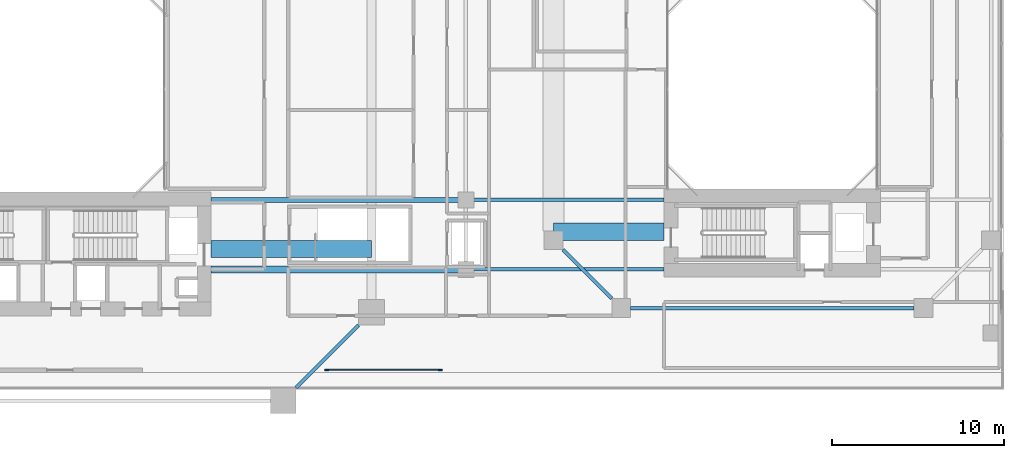
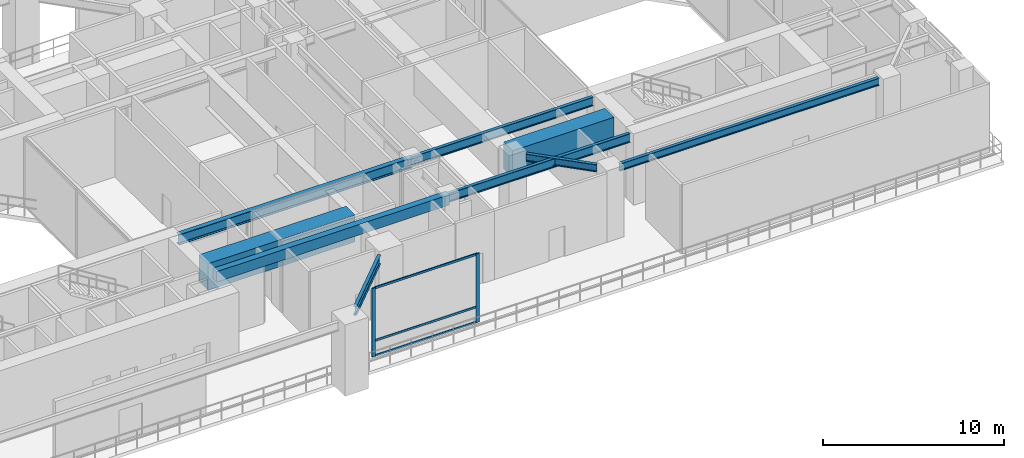
# One storey, part 5 of 19: 9 beams, 5 members, 1 element without a shape of its own.
"""IFC4 building model written with IfcOpenShell, lengths in metres."""

from ifc_helpers import new_model, si_unit, direction, frame, origin, origin_2d, place, context, subcontext, project, spatial, rectangle, i_section, extrude, source, transform, mapped, material, layer, layer_set, material_profile, profile_set, type_object, element, aggregate, save


model = new_model("IFC4")

# Units and contexts
model_context = context("Model", 3, precision=1e-05, world=origin(), true_north=direction((0.0, 1.0)))
body_context = subcontext(model_context, "Body", "Model", "MODEL_VIEW")
ifc_project = project(units=[si_unit("LENGTHUNIT", "METRE"), si_unit("AREAUNIT", "SQUARE_METRE"), si_unit("VOLUMEUNIT", "CUBIC_METRE"), si_unit("PLANEANGLEUNIT", "RADIAN"), si_unit("MASSUNIT", "GRAM", prefix="KILO"), si_unit("THERMODYNAMICTEMPERATUREUNIT", "KELVIN"), si_unit("POWERUNIT", "WATT")], contexts=[model_context])

# Site, building, storey
site_placement = place(None, origin())
site = spatial("IfcSite", under=ifc_project, at=site_placement, CompositionType="ELEMENT")
building_placement = place(site_placement, origin())
building = spatial("IfcBuilding", under=site, at=building_placement, Name="Qiaomeng Ring Towers", CompositionType="ELEMENT")
storey_placement = place(building_placement, frame((0.0, 0.0, 18.199951171875)))
storey = spatial("IfcBuildingStorey", under=building, at=storey_placement, Name="L04", CompositionType="ELEMENT", Elevation=18.199951171875)

# Beams
ifc_material_1 = material(Name="Steel Q355B", Category="steel")
ifc_material_profile_1 = material_profile(ifc_material_1, i_section(OverallWidth=0.199951171875, OverallDepth=0.60009765625, WebThickness=0.010986328125, FlangeThickness=0.01708984375, FilletRadius=0.02197265625, at=origin_2d()), Name="HN 600x200x11x17")
ifc_profile_set_1 = profile_set([ifc_material_profile_1], Name="Steel Q355B")
beam_type_1 = type_object("IfcBeamType", Name="STR-BM-HN600", PredefinedType="BEAM", material=ifc_profile_set_1)
shared_shape_1 = source(origin(), body_context, "Body", "SweptSolid", [
    extrude(i_section(OverallWidth=0.199951171875, OverallDepth=0.60009765625, WebThickness=0.010986328125, FlangeThickness=0.01708984375, FilletRadius=0.02197265625, at=origin_2d()), origin(), (0.0, 0.0, 1.0), 5.163818359375),
])
beam_1_placement = place(storey_placement, frame((32.749267578125, 5.599365234375, 4.320068359375), z_axis=(0.707106781187, 0.707106781187, 0.0), x_axis=(-0.707106781187, 0.707106781187, 0.0)))
element("IfcBeam", 1, at=beam_1_placement, inside=storey, type_object=beam_type_1, Name="L04 beam STR-SP-L04-T1-2", PredefinedType="BEAM", context=body_context, shape_type="MappedRepresentation", body=[
    mapped(shared_shape_1, transform((0.0, 0.0, 0.0), x_axis=(1.0, 0.0, 0.0), y_axis=(0.0, 1.0, 0.0), z_axis=(0.0, 0.0, 1.0), scale=1.0)),
])
ifc_material_profile_2 = material_profile(ifc_material_1, i_section(OverallWidth=0.199951171875, OverallDepth=0.5, WebThickness=0.010009765625, FlangeThickness=0.01611328125, FilletRadius=0.02001953125, at=origin_2d()), Name="HN 500x200x10x16")
ifc_profile_set_2 = profile_set([ifc_material_profile_2], Name="Steel Q355B")
beam_type_2 = type_object("IfcBeamType", Name="STR-BM-HN500", PredefinedType="BEAM", material=ifc_profile_set_2)
shared_shape_2 = source(origin(), body_context, "Body", "SweptSolid", [
    extrude(i_section(OverallWidth=0.199951171875, OverallDepth=0.5, WebThickness=0.010009765625, FlangeThickness=0.01611328125, FilletRadius=0.02001953125, at=origin_2d()), origin(), (0.0, 0.0, 1.0), 4.032470703125),
])
beam_2_placement = place(storey_placement, frame((48.29931640625, 13.650634765625, 4.3701171875), z_axis=(0.707106781187, -0.707106781187, 0.0), x_axis=(0.707106781187, 0.707106781187, 0.0)))
element("IfcBeam", 2, at=beam_2_placement, inside=storey, type_object=beam_type_2, Name="L04 beam STR-SP-L04-T2-0", PredefinedType="BEAM", context=body_context, shape_type="MappedRepresentation", body=[
    mapped(shared_shape_2, transform((0.0, 0.0, 0.0), x_axis=(1.0, 0.0, 0.0), y_axis=(0.0, 1.0, 0.0), z_axis=(0.0, 0.0, 1.0), scale=1.0)),
])
shared_shape_3 = source(origin(), body_context, "Body", "SweptSolid", [
    extrude(i_section(OverallWidth=0.199951171875, OverallDepth=0.5, WebThickness=0.010009765625, FlangeThickness=0.01611328125, FilletRadius=0.02001953125, at=origin_2d()), origin(), (0.0, 0.0, 1.0), 16.501953125),
])
beam_3_placement = place(storey_placement, frame((52.2490234375, 10.25, 4.3701171875), z_axis=(1.0, 0.0, 0.0), x_axis=(0.0, 1.0, 0.0)))
element("IfcBeam", 3, at=beam_3_placement, inside=storey, type_object=beam_type_2, Name="L04 beam STR-SP-L04-T2-1", PredefinedType="BEAM", context=body_context, shape_type="MappedRepresentation", body=[
    mapped(shared_shape_3, transform((0.0, 0.0, 0.0), x_axis=(1.0, 0.0, 0.0), y_axis=(0.0, 1.0, 0.0), z_axis=(0.0, 0.0, 1.0), scale=1.0)),
])
shared_shape_4 = source(origin(), body_context, "Body", "SweptSolid", [
    extrude(i_section(OverallWidth=0.199951171875, OverallDepth=0.60009765625, WebThickness=0.010986328125, FlangeThickness=0.01708984375, FilletRadius=0.02197265625, at=origin_2d()), origin(), (0.0, 0.0, 1.0), 11.550048828125),
])
for number, where, z_axis, x_axis, name in (
    (4, (42.64990234375, 12.5, 4.320068359375), (1.0, 0.0, 0.0), (0.0, 1.0, 0.0), "L04 beam STR-BM-L04-M2-0"),
    (5, (42.64990234375, 16.550048828125, 4.320068359375), (1.0, 0.0, 0.0), (0.0, 1.0, 0.0), "L04 beam STR-BM-L04-M2-1"),
):
    element("IfcBeam", number, at=place(storey_placement, frame(where, z_axis=z_axis, x_axis=x_axis)), inside=storey, type_object=beam_type_1, Name=name, PredefinedType="BEAM", context=body_context, shape_type="MappedRepresentation", body=[
        mapped(shared_shape_4, transform((0.0, 0.0, 0.0), x_axis=(1.0, 0.0, 0.0), y_axis=(0.0, 1.0, 0.0), z_axis=(0.0, 0.0, 1.0), scale=1.0)),
    ])
ifc_material_profile_3 = material_profile(ifc_material_1, i_section(OverallWidth=0.300048828125, OverallDepth=0.699951171875, WebThickness=0.012939453125, FlangeThickness=0.02392578125, FilletRadius=0.02392578125, at=origin_2d()), Name="HN 700x300x13x24")
ifc_profile_set_3 = profile_set([ifc_material_profile_3], Name="Steel Q355B")
beam_type_3 = type_object("IfcBeamType", Name="STR-BM-HN700", PredefinedType="BEAM", material=ifc_profile_set_3)
shared_shape_5 = source(origin(), body_context, "Body", "SweptSolid", [
    extrude(i_section(OverallWidth=0.300048828125, OverallDepth=0.699951171875, WebThickness=0.012939453125, FlangeThickness=0.02392578125, FilletRadius=0.02392578125, at=origin_2d()), origin(), (0.0, 0.0, 1.0), 14.849853515625),
])
beam_4_placement = place(storey_placement, frame((27.800048828125, 16.550048828125, 4.27001953125), z_axis=(1.0, 0.0, 0.0), x_axis=(0.0, 1.0, 0.0)))
element("IfcBeam", 6, at=beam_4_placement, inside=storey, type_object=beam_type_3, Name="L04 beam STR-BM-L04-M1-1", PredefinedType="BEAM", context=body_context, shape_type="MappedRepresentation", body=[
    mapped(shared_shape_5, transform((0.0, 0.0, 0.0), x_axis=(1.0, 0.0, 0.0), y_axis=(0.0, 1.0, 0.0), z_axis=(0.0, 0.0, 1.0), scale=1.0)),
])
ifc_material_2 = material(Name="Concrete C40", Category="concrete")
ifc_material_profile_4 = material_profile(ifc_material_2, rectangle(XDim=0.39990234375, YDim=0.699951171875, at=origin_2d()), Name="RC BM 400x700")
ifc_profile_set_4 = profile_set([ifc_material_profile_4], Name="Concrete C40")
beam_type_4 = type_object("IfcBeamType", Name="STR-BM-RC700", PredefinedType="LINTEL", material=ifc_profile_set_4)
shared_shape_6 = source(origin(), body_context, "Body", "SweptSolid", [
    extrude(rectangle(XDim=0.39990234375, YDim=0.699951171875, at=origin_2d()), origin(), (0.0, 0.0, 1.0), 14.849853515625),
])
beam_5_placement = place(storey_placement, frame((27.800048828125, 12.5, 4.27001953125), z_axis=(1.0, 0.0, 0.0), x_axis=(0.0, 1.0, 0.0)))
element("IfcBeam", 7, at=beam_5_placement, inside=storey, type_object=beam_type_4, Name="L04 beam STR-CB-L04-T1S", PredefinedType="LINTEL", context=body_context, shape_type="MappedRepresentation", body=[
    mapped(shared_shape_6, transform((0.0, 0.0, 0.0), x_axis=(1.0, 0.0, 0.0), y_axis=(0.0, 1.0, 0.0), z_axis=(0.0, 0.0, 1.0), scale=1.0)),
])
ifc_material_3 = material(Name="Concrete C60", Category="concrete")
ifc_material_profile_5 = material_profile(ifc_material_3, rectangle(XDim=1.0, YDim=1.800048828125, at=origin_2d()), Name="RC TG 1000x1800")
ifc_profile_set_5 = profile_set([ifc_material_profile_5], Name="Concrete C60")
beam_type_5 = type_object("IfcBeamType", Name="STR-TG-RC1800", PredefinedType="USERDEFINED", material=ifc_profile_set_5)
shared_shape_7 = source(origin(), body_context, "Body", "SweptSolid", [
    extrude(rectangle(XDim=1.0, YDim=1.800048828125, at=origin_2d()), origin(), (0.0, 0.0, 1.0), 9.349853515625),
])
beam_6_placement = place(storey_placement, frame((27.800048828125, 13.699951171875, 3.719970703125), z_axis=(1.0, 0.0, 0.0), x_axis=(0.0, 1.0, 0.0)))
element("IfcBeam", 8, at=beam_6_placement, inside=storey, type_object=beam_type_5, Name="L04 Transfer Girder STR-TG1B-L04-ES", ObjectType="TRANSFER GIRDER", PredefinedType="USERDEFINED", context=body_context, shape_type="MappedRepresentation", body=[
    mapped(shared_shape_7, transform((0.0, 0.0, 0.0), x_axis=(1.0, 0.0, 0.0), y_axis=(0.0, 1.0, 0.0), z_axis=(0.0, 0.0, 1.0), scale=1.0)),
])
shared_shape_8 = source(origin(), body_context, "Body", "SweptSolid", [
    extrude(rectangle(XDim=1.0, YDim=1.800048828125, at=origin_2d()), origin(), (0.0, 0.0, 1.0), 6.449951171875),
])
beam_7_placement = place(storey_placement, frame((47.75, 14.699951171875, 3.719970703125), z_axis=(1.0, 0.0, 0.0), x_axis=(0.0, 1.0, 0.0)))
element("IfcBeam", 9, at=beam_7_placement, inside=storey, type_object=beam_type_5, Name="L04 Transfer Girder STR-TG1B-L04-T2S", ObjectType="TRANSFER GIRDER", PredefinedType="USERDEFINED", context=body_context, shape_type="MappedRepresentation", body=[
    mapped(shared_shape_8, transform((0.0, 0.0, 0.0), x_axis=(1.0, 0.0, 0.0), y_axis=(0.0, 1.0, 0.0), z_axis=(0.0, 0.0, 1.0), scale=1.0)),
])

# Curtain wall, members
ifc_material_4 = material(Name="Fluorocarbon dark-grey aluminium", Category="aluminium")
ifc_layer = layer(ifc_material_4, 0.179931640625, Name="Fluorocarbon dark-grey aluminium")
ifc_layer_set = layer_set([ifc_layer], Name="Fluorocarbon dark-grey aluminium")
curtain_wall_type = type_object("IfcCurtainWallType", Name="ARC-CW-1", PredefinedType="NOTDEFINED", material=ifc_layer_set)
curtain_wall_placement = place(storey_placement, origin())
curtain_wall = element("IfcCurtainWall", 10, at=curtain_wall_placement, inside=storey, type_object=curtain_wall_type, Name="L04 Curtain Wall CW1", PredefinedType="NOTDEFINED")
ifc_material_profile_6 = material_profile(ifc_material_4, rectangle(XDim=0.070068359375, YDim=0.139892578125, at=origin_2d()), Name="ALU TRAN 70x140")
ifc_profile_set_6 = profile_set([ifc_material_profile_6], Name="Fluorocarbon dark-grey aluminium")
member_type_1 = type_object("IfcMemberType", Name="ARC-CWT-140", PredefinedType="USERDEFINED", material=ifc_profile_set_6)
shared_shape_9 = source(origin(), body_context, "Body", "SweptSolid", [
    extrude(rectangle(XDim=0.070068359375, YDim=0.139892578125, at=origin_2d()), origin(), (0.0, 0.0, 1.0), 6.5400390625),
])
member_1_placement = place(storey_placement, frame((34.580078125, 6.64990234375, 0.03515625), z_axis=(1.0, 0.0, 0.0), x_axis=(0.0, 1.0, 0.0)))
member_1 = element("IfcMember", 11, at=member_1_placement, type_object=member_type_1, Name="CW1 transom 1.1", ObjectType="TRANSOM", PredefinedType="USERDEFINED", context=body_context, shape_type="MappedRepresentation", body=[
    mapped(shared_shape_9, transform((0.0, 0.0, 0.0), x_axis=(1.0, 0.0, 0.0), y_axis=(0.0, 1.0, 0.0), z_axis=(0.0, 0.0, 1.0), scale=1.0)),
])
member_2_placement = place(storey_placement, frame((34.580078125, 6.64990234375, 1.050048828125), z_axis=(1.0, 0.0, 0.0), x_axis=(0.0, 1.0, 0.0)))
member_2 = element("IfcMember", 12, at=member_2_placement, type_object=member_type_1, Name="CW1 transom 1.2", ObjectType="TRANSOM", PredefinedType="USERDEFINED", context=body_context, shape_type="MappedRepresentation", body=[
    mapped(shared_shape_9, transform((0.0, 0.0, 0.0), x_axis=(1.0, 0.0, 0.0), y_axis=(0.0, 1.0, 0.0), z_axis=(0.0, 0.0, 1.0), scale=1.0)),
])
member_3_placement = place(storey_placement, frame((34.580078125, 6.64990234375, 4.5849609375), z_axis=(1.0, 0.0, 0.0), x_axis=(0.0, 1.0, 0.0)))
member_3 = element("IfcMember", 13, at=member_3_placement, type_object=member_type_1, Name="CW1 transom 1.3", ObjectType="TRANSOM", PredefinedType="USERDEFINED", context=body_context, shape_type="MappedRepresentation", body=[
    mapped(shared_shape_9, transform((0.0, 0.0, 0.0), x_axis=(1.0, 0.0, 0.0), y_axis=(0.0, 1.0, 0.0), z_axis=(0.0, 0.0, 1.0), scale=1.0)),
])
ifc_material_profile_7 = material_profile(ifc_material_4, rectangle(XDim=0.080078125, YDim=0.219970703125, at=origin_2d()), Name="ALU MULL 80x220")
ifc_profile_set_7 = profile_set([ifc_material_profile_7], Name="Fluorocarbon dark-grey aluminium")
member_type_2 = type_object("IfcMemberType", Name="ARC-CWM-180", PredefinedType="MULLION", material=ifc_profile_set_7)
shared_shape_10 = source(origin(), body_context, "Body", "SweptSolid", [
    extrude(rectangle(XDim=0.080078125, YDim=0.219970703125, at=origin_2d()), origin(), (0.0, 0.0, 1.0), 4.6201171875),
])
member_4_placement = place(storey_placement, frame((34.5400390625, 6.64990234375, 0.0), z_axis=(0.0, 0.0, 1.0), x_axis=(0.0, 1.0, 0.0)))
member_4 = element("IfcMember", 14, at=member_4_placement, type_object=member_type_2, Name="CW1 mullion 1", PredefinedType="MULLION", context=body_context, shape_type="MappedRepresentation", body=[
    mapped(shared_shape_10, transform((0.0, 0.0, 0.0), x_axis=(1.0, 0.0, 0.0), y_axis=(0.0, 1.0, 0.0), z_axis=(0.0, 0.0, 1.0), scale=1.0)),
])
member_5_placement = place(storey_placement, frame((41.159912109375, 6.64990234375, 0.0), z_axis=(0.0, 0.0, 1.0), x_axis=(0.0, 1.0, 0.0)))
member_5 = element("IfcMember", 15, at=member_5_placement, type_object=member_type_2, Name="CW1 mullion 2", PredefinedType="MULLION", context=body_context, shape_type="MappedRepresentation", body=[
    mapped(shared_shape_10, transform((0.0, 0.0, 0.0), x_axis=(1.0, 0.0, 0.0), y_axis=(0.0, 1.0, 0.0), z_axis=(0.0, 0.0, 1.0), scale=1.0)),
])
aggregate(curtain_wall, [member_4, member_5, member_1, member_2, member_3])

save(model, "model.ifc")
